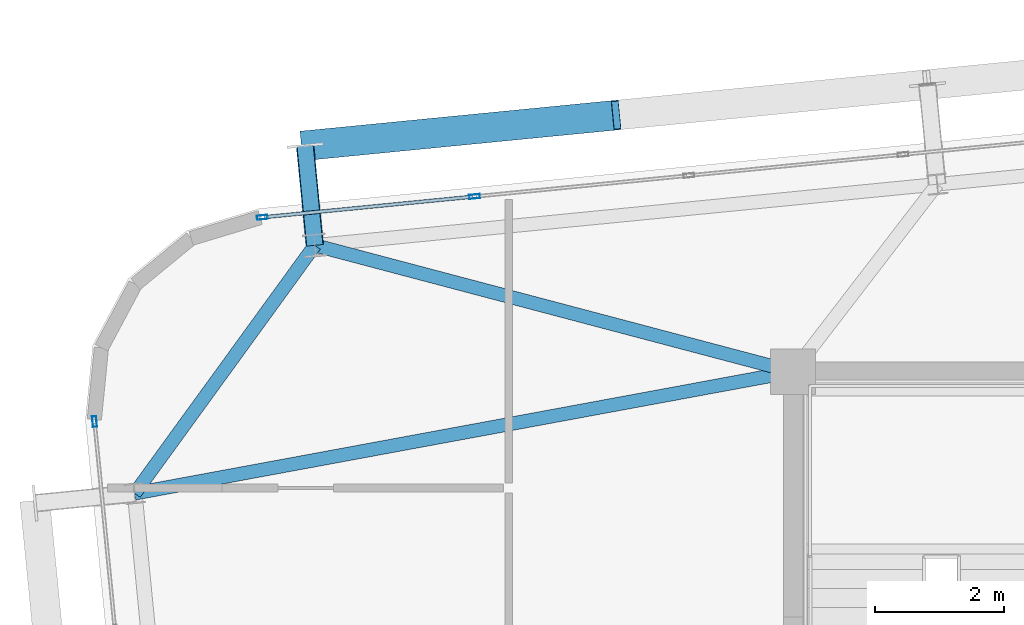
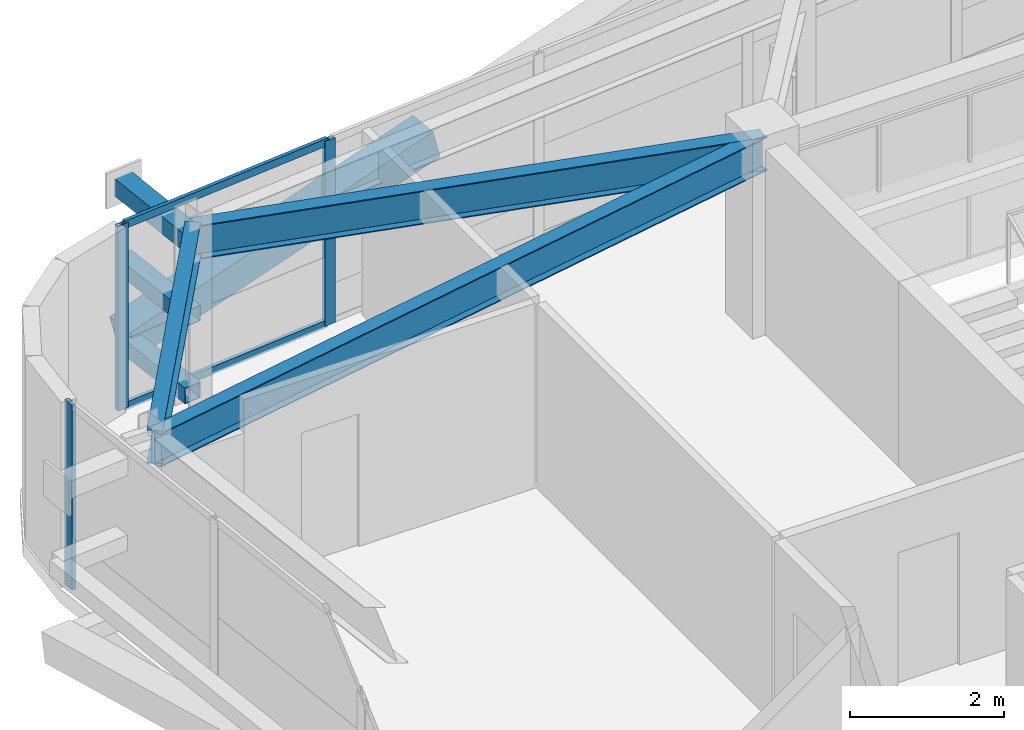
# One storey, part 27 of 52: 9 members, 3 beams, 2 elements without a shape of their own.
"""IFC4 building model written with IfcOpenShell, lengths in metres."""

from ifc_helpers import new_model, si_unit, direction, frame, origin, origin_2d, place, context, subcontext, project, spatial, hollow_rectangle, i_section, extrude, source, transform, mapped, material, layer, layer_set, material_profile, profile_set, type_object, element, aggregate, save


model = new_model("IFC4")

# Units and contexts
model_context = context("Model", 3, precision=1e-05, world=origin(), true_north=direction((0.0, 1.0)))
body_context = subcontext(model_context, "Body", "Model", "MODEL_VIEW")
ifc_project = project(units=[si_unit("LENGTHUNIT", "METRE"), si_unit("AREAUNIT", "SQUARE_METRE"), si_unit("VOLUMEUNIT", "CUBIC_METRE"), si_unit("PLANEANGLEUNIT", "RADIAN"), si_unit("MASSUNIT", "GRAM", prefix="KILO")], contexts=[model_context])

# Site, building, storey
site_placement = place(None, origin())
site = spatial("IfcSite", under=ifc_project, at=site_placement, CompositionType="ELEMENT")
building_placement = place(site_placement, origin())
building = spatial("IfcBuilding", under=site, at=building_placement, Name="Taldren Reach Tower", CompositionType="ELEMENT")
storey_placement = place(building_placement, frame((0.0, 0.0, 74.550048828125)))
storey = spatial("IfcBuildingStorey", under=building, at=storey_placement, Name="L22", CompositionType="ELEMENT", Elevation=74.550048828125)

# Beams
ifc_material_1 = material(Name="Steel Gr 350 (350PLUS)", Category="steel")
ifc_material_profile_1 = material_profile(ifc_material_1, i_section(OverallWidth=0.208984375, OverallDepth=0.528076171875, WebThickness=0.009521484375, FlangeThickness=0.01318359375, at=origin_2d()), Name="530UB82.0")
ifc_profile_set_1 = profile_set([ifc_material_profile_1], Name="Steel Gr 350 (350PLUS)")
beam_type_1 = type_object("IfcBeamType", Name="SP-UB530B", PredefinedType="SPANDREL", material=ifc_profile_set_1)
shared_shape_1 = source(origin(), body_context, "Body", "SweptSolid", [
    extrude(i_section(OverallWidth=0.208984375, OverallDepth=0.528076171875, WebThickness=0.009521484375, FlangeThickness=0.01318359375, at=origin_2d()), origin(), (0.0, 0.0, 1.0), 4.74609375),
])
beam_1_placement = place(storey_placement, frame((11.596923828125, 33.956787109375, 2.666015625), z_axis=(-0.587565912237, -0.809176308833, 0.0), x_axis=(0.809176308833, -0.587565912237, 0.0)))
element("IfcBeam", 1, at=beam_1_placement, inside=storey, type_object=beam_type_1, Name="Perimeter spandrel B2 N1-W3 L22", PredefinedType="SPANDREL", context=body_context, shape_type="MappedRepresentation", body=[
    mapped(shared_shape_1, transform((0.0, 0.0, 0.0), scale=1.0)),
])
ifc_material_profile_2 = material_profile(ifc_material_1, i_section(OverallWidth=0.208984375, OverallDepth=0.532958984375, WebThickness=0.01025390625, FlangeThickness=0.015625, at=origin_2d()), Name="530UB92.4")
ifc_profile_set_2 = profile_set([ifc_material_profile_2], Name="Steel Gr 350 (350PLUS)")
beam_type_2 = type_object("IfcBeamType", Name="BM-UB530A", PredefinedType="BEAM", material=ifc_profile_set_2)
shared_shape_2 = source(origin(), body_context, "Body", "SweptSolid", [
    extrude(i_section(OverallWidth=0.208984375, OverallDepth=0.532958984375, WebThickness=0.01025390625, FlangeThickness=0.015625, at=origin_2d()), origin(), (0.0, 0.0, 1.0), 7.6572265625),
])
beam_2_placement = place(storey_placement, frame((19.0, 32.0, 2.663330078125), z_axis=(-0.966797258245, 0.255544636904, 0.0), x_axis=(-0.255544636904, -0.966797258245, 0.0)))
element("IfcBeam", 2, at=beam_2_placement, inside=storey, type_object=beam_type_2, Name="Primary floor girder B2-N1 L22", PredefinedType="BEAM", context=body_context, shape_type="MappedRepresentation", body=[
    mapped(shared_shape_2, transform((0.0, 0.0, 0.0), scale=1.0)),
])
shared_shape_3 = source(origin(), body_context, "Body", "SweptSolid", [
    extrude(i_section(OverallWidth=0.208984375, OverallDepth=0.532958984375, WebThickness=0.01025390625, FlangeThickness=0.015625, at=origin_2d()), origin(), (0.0, 0.0, 1.0), 10.3642578125),
])
beam_3_placement = place(storey_placement, frame((19.0, 32.0, 2.663330078125), z_axis=(-0.983347548213, -0.181734970283, 0.0), x_axis=(0.181734970283, -0.983347548213, 0.0)))
element("IfcBeam", 3, at=beam_3_placement, inside=storey, type_object=beam_type_2, Name="Primary floor girder B2-W3 L22", PredefinedType="BEAM", context=body_context, shape_type="MappedRepresentation", body=[
    mapped(shared_shape_3, transform((0.0, 0.0, 0.0), scale=1.0)),
])

# Members
ifc_material_2 = material(Name="Steel Gr 450 (C450L0)", Category="steel")
ifc_material_profile_3 = material_profile(ifc_material_2, hollow_rectangle(XDim=0.27490234375, YDim=0.27490234375, WallThickness=0.00927734375, at=origin_2d()), Name="275x275x9.3SHS")
ifc_profile_set_3 = profile_set([ifc_material_profile_3], Name="Steel Gr 450 (C450L0)")
member_type_1 = type_object("IfcMemberType", Name="MB-TIE273", PredefinedType="STRUT", material=ifc_profile_set_3)
shared_shape_4 = source(origin(), body_context, "Body", "SweptSolid", [
    extrude(hollow_rectangle(XDim=0.27490234375, YDim=0.27490234375, WallThickness=0.00927734375, at=origin_2d()), origin(), (0.0, 0.0, 1.0), 1.550048828125),
])
member_1_placement = place(storey_placement, frame((11.596923828125, 33.956787109375, 2.64990234375), z_axis=(-0.097647892962, 0.9952210252, 0.0), x_axis=(-0.9952210252, -0.097647892962, 0.0)))
element("IfcMember", 4, at=member_1_placement, inside=storey, type_object=member_type_1, Name="Exoskeleton diaphragm tie strut B2-N1 L22", PredefinedType="STRUT", context=body_context, shape_type="MappedRepresentation", body=[
    mapped(shared_shape_4, transform((0.0, 0.0, 0.0), scale=1.0)),
])
ifc_material_profile_4 = material_profile(ifc_material_2, hollow_rectangle(XDim=0.4599609375, YDim=0.4599609375, WallThickness=0.01611328125, at=origin_2d()), Name="460x460x16.0SHS")
ifc_profile_set_4 = profile_set([ifc_material_profile_4], Name="Steel Gr 450 (C450L0)")
member_type_2 = type_object("IfcMemberType", Name="MB-EXO457", PredefinedType="BRACE", material=ifc_profile_set_4)
shared_shape_5 = source(origin(), body_context, "Body", "SweptSolid", [
    extrude(hollow_rectangle(XDim=0.4599609375, YDim=0.4599609375, WallThickness=0.01611328125, at=origin_2d()), origin(), (0.0, 0.0, 1.0), 4.990234375),
])
member_2_placement = place(storey_placement, frame((11.445556640625, 35.49951171875, 0.219970703125), z_axis=(0.965275526283, 0.094619506732, 0.243496010862), x_axis=(-0.097555749586, 0.995230061706, 0.0)))
element("IfcMember", 5, at=member_2_placement, inside=storey, type_object=member_type_2, Name="Exoskeleton Diagrid Brace B2-N1 L22", PredefinedType="BRACE", context=body_context, shape_type="MappedRepresentation", body=[
    mapped(shared_shape_5, transform((0.0, 0.0, 0.0), scale=1.0)),
])
ifc_material_3 = material(Name="Steel Gr 350 (C350L0)", Category="steel")
ifc_material_profile_5 = material_profile(ifc_material_3, hollow_rectangle(XDim=0.25, YDim=0.25, WallThickness=0.010009765625, at=origin_2d()), Name="250x250x10.0SHS")
ifc_profile_set_5 = profile_set([ifc_material_profile_5], Name="Steel Gr 350 (C350L0)")
member_type_3 = type_object("IfcMemberType", Name="MB-POST250", PredefinedType="POST", material=ifc_profile_set_5)
shared_shape_6 = source(origin(), body_context, "Body", "SweptSolid", [
    extrude(hollow_rectangle(XDim=0.25, YDim=0.25, WallThickness=0.010009765625, at=origin_2d()), origin(), (0.0, 0.0, 1.0), 1.550048828125),
])
for number, where, z_axis, x_axis, name in (
    (6, (11.596923828125, 33.956787109375, 0.219970703125), (-0.097647892962, 0.9952210252, 0.0), (-0.9952210252, -0.097647892962, 0.0), "Exoskeleton base diaphragm tie strut B2-N1 L22"),
    (7, (11.596923828125, 33.956787109375, 1.43505859375), (-0.097647892962, 0.9952210252, 0.0), (-0.9952210252, -0.097647892962, 0.0), "Exoskeleton mid-tier diaphragm tie B2-N1 L22"),
):
    element("IfcMember", number, at=place(storey_placement, frame(where, z_axis=z_axis, x_axis=x_axis)), inside=storey, type_object=member_type_3, Name=name, PredefinedType="POST", context=body_context, shape_type="MappedRepresentation", body=[
        mapped(shared_shape_6, transform((0.0, 0.0, 0.0), scale=1.0)),
    ])

# Curtain wall, members
ifc_material_4 = material(Name="Aluminium and Low-E Glass Unitised System", Category="aluminium")
ifc_layer = layer(ifc_material_4, 0.159912109375)
ifc_layer_set = layer_set([ifc_layer], Name="Aluminium and Low-E Glass Unitised System")
curtain_wall_type = type_object("IfcCurtainWallType", Name="CW-SYS-3", PredefinedType="NOTDEFINED", material=ifc_layer_set)
curtain_wall_1_placement = place(storey_placement, origin())
curtain_wall_1 = element("IfcCurtainWall", 8, at=curtain_wall_1_placement, inside=storey, type_object=curtain_wall_type, Name="Unitised curtain wall CW-L22-N", PredefinedType="NOTDEFINED")
ifc_material_5 = material(Name="Anodised Aluminium 6063-T6", Category="aluminium")
ifc_material_profile_6 = material_profile(ifc_material_5, hollow_rectangle(XDim=0.06494140625, YDim=0.1650390625, WallThickness=0.00390625, at=origin_2d()), Name="ALU-165x65x4RHS")
ifc_profile_set_6 = profile_set([ifc_material_profile_6], Name="Anodised Aluminium 6063-T6")
member_type_4 = type_object("IfcMemberType", Name="CW-MUL-165", PredefinedType="MULLION", material=ifc_profile_set_6)
shared_shape_7 = source(origin(), body_context, "Body", "SweptSolid", [
    extrude(hollow_rectangle(XDim=0.06494140625, YDim=0.1650390625, WallThickness=0.00390625, at=origin_2d()), origin(), (0.0, 0.0, 1.0), 2.929931640625),
])
member_3_placement = place(storey_placement, frame((14.068359375, 34.711669921875, 0.0), z_axis=(0.0, 0.0, 1.0), x_axis=(0.097582999046, -0.995227390247, 0.0)))
member_3 = element("IfcMember", 9, at=member_3_placement, type_object=member_type_4, Name="CW-3 mullion 15", PredefinedType="MULLION", context=body_context, shape_type="MappedRepresentation", body=[
    mapped(shared_shape_7, transform((0.0, 0.0, 0.0), scale=1.0)),
])
member_4_placement = place(storey_placement, frame((10.783203125, 34.3896484375, 0.0), z_axis=(0.0, 0.0, 1.0), x_axis=(0.097582999046, -0.995227390247, 0.0)))
member_4 = element("IfcMember", 10, at=member_4_placement, type_object=member_type_4, Name="CW-3 mullion 16", PredefinedType="MULLION", context=body_context, shape_type="MappedRepresentation", body=[
    mapped(shared_shape_7, transform((0.0, 0.0, 0.0), scale=1.0)),
])

# Curtain wall, member
curtain_wall_2_placement = place(storey_placement, origin())
curtain_wall_2 = element("IfcCurtainWall", 11, at=curtain_wall_2_placement, inside=storey, type_object=curtain_wall_type, Name="Unitised curtain wall CW-L22-W", PredefinedType="NOTDEFINED")
member_5_placement = place(storey_placement, frame((8.186767578125, 31.228515625, 0.0), z_axis=(0.0, 0.0, 1.0), x_axis=(0.99522741555, 0.09758274098, 0.0)))
member_5 = element("IfcMember", 12, at=member_5_placement, type_object=member_type_4, Name="CW-3 mullion 1", PredefinedType="MULLION", context=body_context, shape_type="MappedRepresentation", body=[
    mapped(shared_shape_7, transform((0.0, 0.0, 0.0), scale=1.0)),
])
aggregate(curtain_wall_2, [member_5])

# Member
ifc_material_profile_7 = material_profile(ifc_material_5, hollow_rectangle(XDim=0.054931640625, YDim=0.1201171875, WallThickness=0.0029296875, at=origin_2d()), Name="ALU-120x55x3RHS")
ifc_profile_set_7 = profile_set([ifc_material_profile_7], Name="Anodised Aluminium 6063-T6")
member_type_5 = type_object("IfcMemberType", Name="CW-TRN-135", PredefinedType="USERDEFINED", material=ifc_profile_set_7)
shared_shape_8 = source(origin(), body_context, "Body", "SweptSolid", [
    extrude(hollow_rectangle(XDim=0.054931640625, YDim=0.1201171875, WallThickness=0.0029296875, at=origin_2d()), origin(), (0.0, 0.0, 1.0), 3.235595703125),
])
member_6_placement = place(storey_placement, frame((14.035888671875, 34.70849609375, 0.02734375), z_axis=(-0.995229530729, -0.09756116628, 0.0), x_axis=(0.09756116628, -0.995229530729, 0.0)))
member_6 = element("IfcMember", 13, at=member_6_placement, type_object=member_type_5, Name="CW-3 transom 15.1", ObjectType="TRANSOM", PredefinedType="USERDEFINED", context=body_context, shape_type="MappedRepresentation", body=[
    mapped(shared_shape_8, transform((0.0, 0.0, 0.0), scale=1.0)),
])

member_7_placement = place(storey_placement, frame((14.035888671875, 34.70849609375, 2.90234375), z_axis=(-0.995229530729, -0.09756116628, 0.0), x_axis=(0.09756116628, -0.995229530729, 0.0)))
member_7 = element("IfcMember", 14, at=member_7_placement, type_object=member_type_5, Name="CW-3 transom 15.2", ObjectType="TRANSOM", PredefinedType="USERDEFINED", context=body_context, shape_type="MappedRepresentation", body=[
    mapped(shared_shape_8, transform((0.0, 0.0, 0.0), scale=1.0)),
])

aggregate(curtain_wall_1, [member_3, member_4, member_6, member_7])

save(model, "model.ifc")
